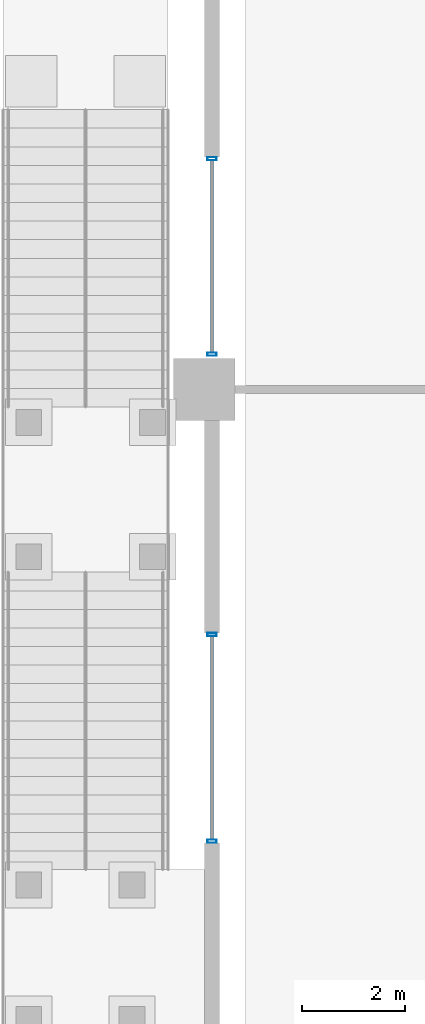
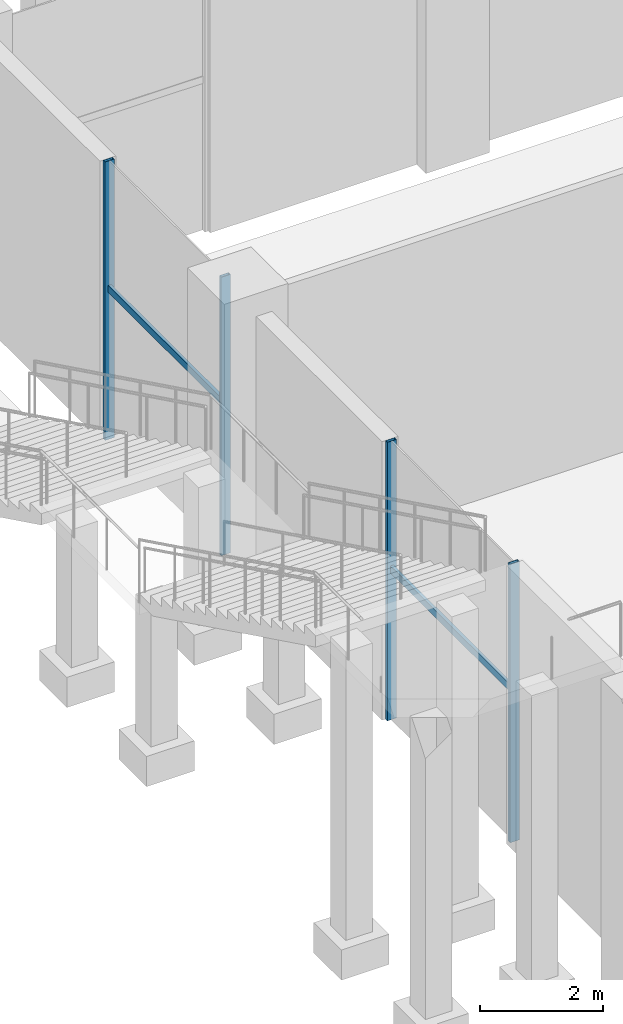
# One storey, part 11 of 68: 6 members, 2 elements without a shape of their own.
"""IFC4 building model written with IfcOpenShell, lengths in metres."""

from ifc_helpers import new_model, si_unit, direction, frame, origin, origin_2d, place, context, subcontext, project, spatial, hollow_rectangle, extrude, material, material_profile, profile_set, type_object, element, aggregate, save


model = new_model("IFC4")

# Units and contexts
model_context = context("Model", 3, precision=1e-05, world=origin(), true_north=direction((0.0, 1.0)))
body_context = subcontext(model_context, "Body", "Model", "MODEL_VIEW")
ifc_project = project(units=[si_unit("LENGTHUNIT", "METRE"), si_unit("AREAUNIT", "SQUARE_METRE"), si_unit("VOLUMEUNIT", "CUBIC_METRE"), si_unit("PLANEANGLEUNIT", "RADIAN"), si_unit("MASSUNIT", "GRAM", prefix="KILO")], contexts=[model_context])

# Site, building, storey
site_placement = place(None, origin())
site = spatial("IfcSite", under=ifc_project, at=site_placement, CompositionType="ELEMENT")
building_placement = place(site_placement, origin())
building = spatial("IfcBuilding", under=site, at=building_placement, Name="Altepetl Exchange Towers", CompositionType="ELEMENT")
storey_placement = place(building_placement, origin())
storey = spatial("IfcBuildingStorey", under=building, at=storey_placement, Name="L00 Ground concourse", CompositionType="ELEMENT", Elevation=0.0)

# Curtain wall, members
ifc_material_1 = material(Name="Aluminium 6063-T6 glazing", Category="aluminium")
curtain_wall_type = type_object("IfcCurtainWallType", Name="Podium storefront system", PredefinedType="NOTDEFINED", material=ifc_material_1)
curtain_wall_1_placement = place(storey_placement, origin())
curtain_wall_1 = element("IfcCurtainWall", 1, at=curtain_wall_1_placement, inside=storey, type_object=curtain_wall_type, Name="CW5 run", PredefinedType="NOTDEFINED")
ifc_material_2 = material(Name="Aluminium 6063-T6", Category="aluminium")
ifc_material_profile_1 = material_profile(ifc_material_2, hollow_rectangle(XDim=0.06005859375, YDim=0.175048828125, WallThickness=0.0029296875, at=origin_2d()), Name="Mullion 60x175 aluminium")
ifc_profile_set_1 = profile_set([ifc_material_profile_1], Name="Aluminium 6063-T6")
member_type_1 = type_object("IfcMemberType", Name="Mullion 60x175 aluminium", PredefinedType="MULLION", material=ifc_profile_set_1)
member_1_placement = place(storey_placement, frame((0.14990234375, 94.469970703125, 0.0), z_axis=(0.0, 0.0, 1.0), x_axis=(0.0, -1.0, 0.0)))
member_1 = element("IfcMember", 2, at=member_1_placement, type_object=member_type_1, Name="MU4 mullion", PredefinedType="MULLION", context=body_context, shape_type="SweptSolid", body=[
    extrude(hollow_rectangle(XDim=0.06005859375, YDim=0.175048828125, WallThickness=0.0029296875, at=origin_2d()), origin(), (0.0, 0.0, 1.0), 5.550048828125),
])
member_2_placement = place(storey_placement, frame((0.14990234375, 90.679931640625, 0.0), z_axis=(0.0, 0.0, 1.0), x_axis=(0.0, -1.0, 0.0)))
member_2 = element("IfcMember", 3, at=member_2_placement, type_object=member_type_1, Name="MU4 mullion", PredefinedType="MULLION", context=body_context, shape_type="SweptSolid", body=[
    extrude(hollow_rectangle(XDim=0.06005859375, YDim=0.175048828125, WallThickness=0.0029296875, at=origin_2d()), origin(), (0.0, 0.0, 1.0), 5.550048828125),
])

curtain_wall_2_placement = place(storey_placement, origin())
curtain_wall_2 = element("IfcCurtainWall", 4, at=curtain_wall_2_placement, inside=storey, type_object=curtain_wall_type, Name="CW5 run", PredefinedType="NOTDEFINED")
member_3_placement = place(storey_placement, frame((0.14990234375, 85.25341796875, 0.0), z_axis=(0.0, 0.0, 1.0), x_axis=(0.0, -1.0, 0.0)))
member_3 = element("IfcMember", 5, at=member_3_placement, type_object=member_type_1, Name="MU4 mullion", PredefinedType="MULLION", context=body_context, shape_type="SweptSolid", body=[
    extrude(hollow_rectangle(XDim=0.06005859375, YDim=0.175048828125, WallThickness=0.0029296875, at=origin_2d()), origin(), (0.0, 0.0, 1.0), 5.550048828125),
])
member_4_placement = place(storey_placement, frame((0.14990234375, 81.24658203125, 0.0), z_axis=(0.0, 0.0, 1.0), x_axis=(0.0, -1.0, 0.0)))
member_4 = element("IfcMember", 6, at=member_4_placement, type_object=member_type_1, Name="MU4 mullion", PredefinedType="MULLION", context=body_context, shape_type="SweptSolid", body=[
    extrude(hollow_rectangle(XDim=0.06005859375, YDim=0.175048828125, WallThickness=0.0029296875, at=origin_2d()), origin(), (0.0, 0.0, 1.0), 5.550048828125),
])

# Member
ifc_material_profile_2 = material_profile(ifc_material_2, hollow_rectangle(XDim=0.06005859375, YDim=0.139892578125, WallThickness=0.0029296875, at=origin_2d()), Name="Transom 60x140 aluminium")
ifc_profile_set_2 = profile_set([ifc_material_profile_2], Name="Aluminium 6063-T6")
member_type_2 = type_object("IfcMemberType", Name="Transom 60x140 aluminium", PredefinedType="USERDEFINED", material=ifc_profile_set_2)
member_5_placement = place(storey_placement, frame((0.14990234375, 94.43994140625, 3.0), z_axis=(0.0, -1.0, 0.0), x_axis=(1.0, 0.0, 0.0)))
member_5 = element("IfcMember", 7, at=member_5_placement, type_object=member_type_2, Name="TR3 transom", ObjectType="TRANSOM", PredefinedType="USERDEFINED", context=body_context, shape_type="SweptSolid", body=[
    extrude(hollow_rectangle(XDim=0.06005859375, YDim=0.139892578125, WallThickness=0.0029296875, at=origin_2d()), origin(), (0.0, 0.0, 1.0), 3.72998046875),
])

aggregate(curtain_wall_1, [member_1, member_2, member_5])

member_6_placement = place(storey_placement, frame((0.14990234375, 85.223388671875, 3.0), z_axis=(0.0, -1.0, 0.0), x_axis=(1.0, 0.0, 0.0)))
member_6 = element("IfcMember", 8, at=member_6_placement, type_object=member_type_2, Name="TR3 transom", ObjectType="TRANSOM", PredefinedType="USERDEFINED", context=body_context, shape_type="SweptSolid", body=[
    extrude(hollow_rectangle(XDim=0.06005859375, YDim=0.139892578125, WallThickness=0.0029296875, at=origin_2d()), origin(), (0.0, 0.0, 1.0), 3.94677734375),
])

aggregate(curtain_wall_2, [member_3, member_4, member_6])

save(model, "model.ifc")
